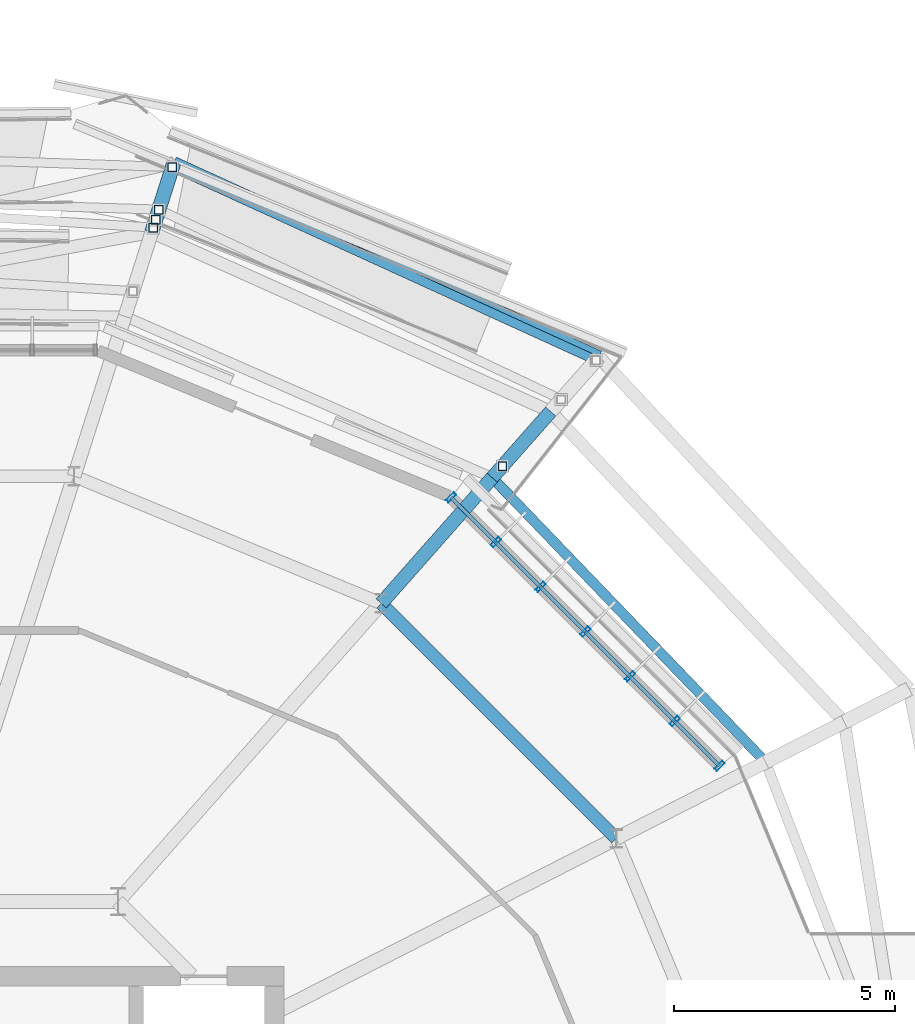
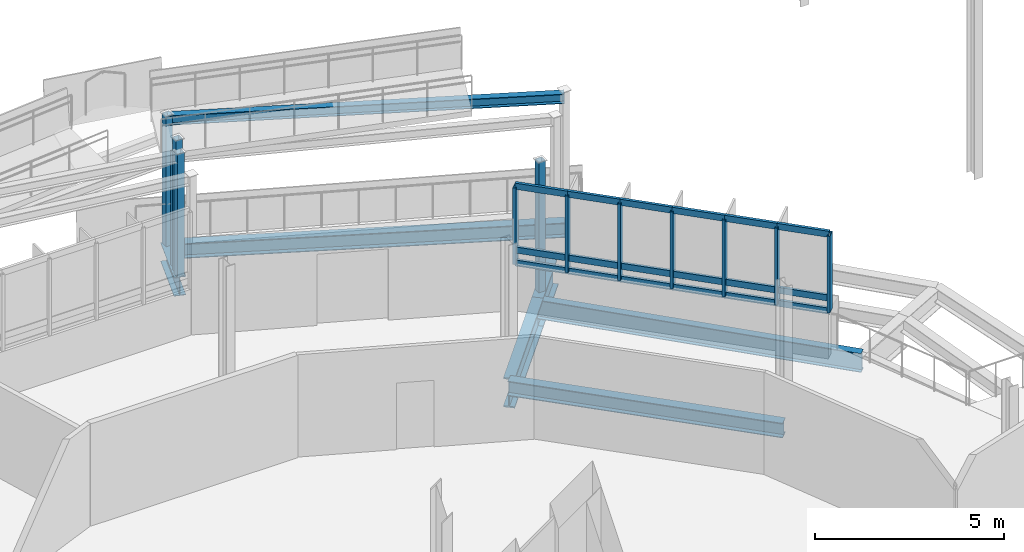
# One storey, part 49 of 107: 30 members, 7 beams, 1 element without a shape of its own.
"""IFC4 building model written with IfcOpenShell, lengths in metres."""

from ifc_helpers import new_model, si_unit, derived_unit, direction, frame, origin, origin_2d, place, context, subcontext, project, spatial, hollow_rectangle, i_section, extrude, material, layer, layer_set, material_profile, profile_set, type_object, element, aggregate, save


model = new_model("IFC4")

# Units and contexts
model_context = context("Model", 3, precision=1e-05, world=origin(), true_north=direction((0.0, 1.0)))
body_context = subcontext(model_context, "Body", "Model", "MODEL_VIEW")
ifc_project = project(units=[si_unit("LENGTHUNIT", "METRE"), si_unit("AREAUNIT", "SQUARE_METRE"), si_unit("VOLUMEUNIT", "CUBIC_METRE"), si_unit("PLANEANGLEUNIT", "RADIAN"), si_unit("MASSUNIT", "GRAM", prefix="KILO"), derived_unit("THERMALTRANSMITTANCEUNIT", [(si_unit("MASSUNIT", "GRAM", prefix="KILO"), 1), (si_unit("TIMEUNIT", "SECOND"), -3), (si_unit("THERMODYNAMICTEMPERATUREUNIT", "KELVIN"), -1)])], contexts=[model_context])

# Site, building, storey
site_placement = place(None, origin())
site = spatial("IfcSite", under=ifc_project, at=site_placement, CompositionType="ELEMENT")
building_placement = place(site_placement, origin())
building = spatial("IfcBuilding", under=site, at=building_placement, Name="Makaiwela Harbour Ferry Terminal", CompositionType="ELEMENT")
storey_placement = place(building_placement, frame((0.0, 0.0, 9.60009765625)))
storey = spatial("IfcBuildingStorey", under=building, at=storey_placement, Name="L02", CompositionType="ELEMENT", Elevation=9.60009765625)

# Curtain wall, members
ifc_material_1 = material(Name="Marine anodised aluminium 6063-T6", Category="aluminium")
ifc_layer = layer(ifc_material_1, 0.199951171875)
ifc_layer_set = layer_set([ifc_layer], Name="Marine anodised aluminium 6063-T6")
curtain_wall_type = type_object("IfcCurtainWallType", Name="ENV-CW-04", PredefinedType="USERDEFINED", material=ifc_layer_set)
curtain_wall_placement = place(storey_placement, origin())
curtain_wall = element("IfcCurtainWall", 1, at=curtain_wall_placement, inside=storey, type_object=curtain_wall_type, Name="Unitised Curtain Wall CWA-020", ObjectType="UNITIZED CURTAIN WALL", PredefinedType="USERDEFINED")
ifc_material_profile_1 = material_profile(ifc_material_1, hollow_rectangle(XDim=0.0849609375, YDim=0.25, WallThickness=0.0048828125, at=origin_2d()), Name="CWM-250X85")
ifc_profile_set_1 = profile_set([ifc_material_profile_1], Name="Marine anodised aluminium 6063-T6")
member_type_1 = type_object("IfcMemberType", Name="CW-MUL-250", PredefinedType="MULLION", material=ifc_profile_set_1)
member_1_placement = place(storey_placement, frame((55.4873046875, 80.46484375, 1.47998046875), z_axis=(0.0, 0.0, 1.0), x_axis=(-0.707106781187, 0.707106781187, 0.0)))
member_1 = element("IfcMember", 2, at=member_1_placement, type_object=member_type_1, Name="Curtain Wall Mullion CWA-020-1", PredefinedType="MULLION", context=body_context, shape_type="SweptSolid", body=[
    extrude(hollow_rectangle(XDim=0.0849609375, YDim=0.25, WallThickness=0.0048828125, at=origin_2d()), origin(), (0.0, 0.0, 1.0), 2.47998046875),
])
member_2_placement = place(storey_placement, frame((54.4736328125, 81.478759765625, 1.47998046875), z_axis=(0.0, 0.0, 1.0), x_axis=(-0.707106781187, 0.707106781187, 0.0)))
member_2 = element("IfcMember", 3, at=member_2_placement, type_object=member_type_1, Name="Curtain Wall Mullion CWA-020-2", PredefinedType="MULLION", context=body_context, shape_type="SweptSolid", body=[
    extrude(hollow_rectangle(XDim=0.0849609375, YDim=0.25, WallThickness=0.0048828125, at=origin_2d()), origin(), (0.0, 0.0, 1.0), 2.47998046875),
])
member_3_placement = place(storey_placement, frame((53.4599609375, 82.492431640625, 1.47998046875), z_axis=(0.0, 0.0, 1.0), x_axis=(-0.707106781187, 0.707106781187, 0.0)))
member_3 = element("IfcMember", 4, at=member_3_placement, type_object=member_type_1, Name="Curtain Wall Mullion CWA-020-3", PredefinedType="MULLION", context=body_context, shape_type="SweptSolid", body=[
    extrude(hollow_rectangle(XDim=0.0849609375, YDim=0.25, WallThickness=0.0048828125, at=origin_2d()), origin(), (0.0, 0.0, 1.0), 2.47998046875),
])
member_4_placement = place(storey_placement, frame((52.4462890625, 83.506103515625, 1.47998046875), z_axis=(0.0, 0.0, 1.0), x_axis=(-0.707106781187, 0.707106781187, 0.0)))
member_4 = element("IfcMember", 5, at=member_4_placement, type_object=member_type_1, Name="Curtain Wall Mullion CWA-020-4", PredefinedType="MULLION", context=body_context, shape_type="SweptSolid", body=[
    extrude(hollow_rectangle(XDim=0.0849609375, YDim=0.25, WallThickness=0.0048828125, at=origin_2d()), origin(), (0.0, 0.0, 1.0), 2.47998046875),
])
member_5_placement = place(storey_placement, frame((51.432373046875, 84.52001953125, 1.47998046875), z_axis=(0.0, 0.0, 1.0), x_axis=(-0.707106781187, 0.707106781187, 0.0)))
member_5 = element("IfcMember", 6, at=member_5_placement, type_object=member_type_1, Name="Curtain Wall Mullion CWA-020-5", PredefinedType="MULLION", context=body_context, shape_type="SweptSolid", body=[
    extrude(hollow_rectangle(XDim=0.0849609375, YDim=0.25, WallThickness=0.0048828125, at=origin_2d()), origin(), (0.0, 0.0, 1.0), 2.47998046875),
])
member_6_placement = place(storey_placement, frame((50.418701171875, 85.53369140625, 1.47998046875), z_axis=(0.0, 0.0, 1.0), x_axis=(-0.707106781187, 0.707106781187, 0.0)))
member_6 = element("IfcMember", 7, at=member_6_placement, type_object=member_type_1, Name="Curtain Wall Mullion CWA-020-6", PredefinedType="MULLION", context=body_context, shape_type="SweptSolid", body=[
    extrude(hollow_rectangle(XDim=0.0849609375, YDim=0.25, WallThickness=0.0048828125, at=origin_2d()), origin(), (0.0, 0.0, 1.0), 2.47998046875),
])
member_7_placement = place(storey_placement, frame((49.40478515625, 86.54736328125, 1.47998046875), z_axis=(0.0, 0.0, 1.0), x_axis=(-0.707106781187, 0.707106781187, 0.0)))
member_7 = element("IfcMember", 8, at=member_7_placement, type_object=member_type_1, Name="Curtain Wall Mullion CWA-020-7", PredefinedType="MULLION", context=body_context, shape_type="SweptSolid", body=[
    extrude(hollow_rectangle(XDim=0.0849609375, YDim=0.25, WallThickness=0.0048828125, at=origin_2d()), origin(), (0.0, 0.0, 1.0), 2.47998046875),
])
ifc_material_profile_2 = material_profile(ifc_material_1, hollow_rectangle(XDim=0.0849609375, YDim=0.199951171875, WallThickness=0.0048828125, at=origin_2d()), Name="CWT-200X85")
ifc_profile_set_2 = profile_set([ifc_material_profile_2], Name="Marine anodised aluminium 6063-T6")
member_type_2 = type_object("IfcMemberType", Name="CW-TRN-200", PredefinedType="USERDEFINED", material=ifc_profile_set_2)
member_8_placement = place(storey_placement, frame((55.4873046875, 80.46484375, 1.47998046875), z_axis=(-0.707021633764, 0.707191918358, 0.0), x_axis=(-0.707191918358, -0.707021633764, 0.0)))
member_8 = element("IfcMember", 9, at=member_8_placement, type_object=member_type_2, Name="Curtain Wall Transom CWA-020-1-1", ObjectType="TRANSOM", PredefinedType="USERDEFINED", context=body_context, shape_type="SweptSolid", body=[
    extrude(hollow_rectangle(XDim=0.0849609375, YDim=0.199951171875, WallThickness=0.0048828125, at=origin_2d()), origin(), (0.0, 0.0, 1.0), 1.433837890625),
])
member_9_placement = place(storey_placement, frame((55.4873046875, 80.46484375, 1.89990234375), z_axis=(-0.707021633764, 0.707191918358, 0.0), x_axis=(-0.707191918358, -0.707021633764, 0.0)))
member_9 = element("IfcMember", 10, at=member_9_placement, type_object=member_type_2, Name="Curtain Wall Transom CWA-020-1-2", ObjectType="TRANSOM", PredefinedType="USERDEFINED", context=body_context, shape_type="SweptSolid", body=[
    extrude(hollow_rectangle(XDim=0.0849609375, YDim=0.199951171875, WallThickness=0.0048828125, at=origin_2d()), origin(), (0.0, 0.0, 1.0), 1.433837890625),
])
member_10_placement = place(storey_placement, frame((55.4873046875, 80.46484375, 3.9599609375), z_axis=(-0.707021633764, 0.707191918358, 0.0), x_axis=(-0.707191918358, -0.707021633764, 0.0)))
member_10 = element("IfcMember", 11, at=member_10_placement, type_object=member_type_2, Name="Curtain Wall Transom CWA-020-1-3", ObjectType="TRANSOM", PredefinedType="USERDEFINED", context=body_context, shape_type="SweptSolid", body=[
    extrude(hollow_rectangle(XDim=0.0849609375, YDim=0.199951171875, WallThickness=0.0048828125, at=origin_2d()), origin(), (0.0, 0.0, 1.0), 1.433837890625),
])
member_11_placement = place(storey_placement, frame((54.4736328125, 81.478759765625, 1.47998046875), z_axis=(-0.707106781187, 0.707106781187, 0.0), x_axis=(-0.707106781187, -0.707106781187, 0.0)))
member_11 = element("IfcMember", 12, at=member_11_placement, type_object=member_type_2, Name="Curtain Wall Transom CWA-020-2-1", ObjectType="TRANSOM", PredefinedType="USERDEFINED", context=body_context, shape_type="SweptSolid", body=[
    extrude(hollow_rectangle(XDim=0.0849609375, YDim=0.199951171875, WallThickness=0.0048828125, at=origin_2d()), origin(), (0.0, 0.0, 1.0), 1.43359375),
])
member_12_placement = place(storey_placement, frame((54.4736328125, 81.478759765625, 1.89990234375), z_axis=(-0.707106781187, 0.707106781187, 0.0), x_axis=(-0.707106781187, -0.707106781187, 0.0)))
member_12 = element("IfcMember", 13, at=member_12_placement, type_object=member_type_2, Name="Curtain Wall Transom CWA-020-2-2", ObjectType="TRANSOM", PredefinedType="USERDEFINED", context=body_context, shape_type="SweptSolid", body=[
    extrude(hollow_rectangle(XDim=0.0849609375, YDim=0.199951171875, WallThickness=0.0048828125, at=origin_2d()), origin(), (0.0, 0.0, 1.0), 1.43359375),
])
member_13_placement = place(storey_placement, frame((54.4736328125, 81.478759765625, 3.9599609375), z_axis=(-0.707106781187, 0.707106781187, 0.0), x_axis=(-0.707106781187, -0.707106781187, 0.0)))
member_13 = element("IfcMember", 14, at=member_13_placement, type_object=member_type_2, Name="Curtain Wall Transom CWA-020-2-3", ObjectType="TRANSOM", PredefinedType="USERDEFINED", context=body_context, shape_type="SweptSolid", body=[
    extrude(hollow_rectangle(XDim=0.0849609375, YDim=0.199951171875, WallThickness=0.0048828125, at=origin_2d()), origin(), (0.0, 0.0, 1.0), 1.43359375),
])
member_14_placement = place(storey_placement, frame((53.4599609375, 82.492431640625, 1.47998046875), z_axis=(-0.707106781187, 0.707106781187, 0.0), x_axis=(-0.707106781187, -0.707106781187, 0.0)))
member_14 = element("IfcMember", 15, at=member_14_placement, type_object=member_type_2, Name="Curtain Wall Transom CWA-020-3-1", ObjectType="TRANSOM", PredefinedType="USERDEFINED", context=body_context, shape_type="SweptSolid", body=[
    extrude(hollow_rectangle(XDim=0.0849609375, YDim=0.199951171875, WallThickness=0.0048828125, at=origin_2d()), origin(), (0.0, 0.0, 1.0), 1.43359375),
])
member_15_placement = place(storey_placement, frame((53.4599609375, 82.492431640625, 1.89990234375), z_axis=(-0.707106781187, 0.707106781187, 0.0), x_axis=(-0.707106781187, -0.707106781187, 0.0)))
member_15 = element("IfcMember", 16, at=member_15_placement, type_object=member_type_2, Name="Curtain Wall Transom CWA-020-3-2", ObjectType="TRANSOM", PredefinedType="USERDEFINED", context=body_context, shape_type="SweptSolid", body=[
    extrude(hollow_rectangle(XDim=0.0849609375, YDim=0.199951171875, WallThickness=0.0048828125, at=origin_2d()), origin(), (0.0, 0.0, 1.0), 1.43359375),
])
member_16_placement = place(storey_placement, frame((53.4599609375, 82.492431640625, 3.9599609375), z_axis=(-0.707106781187, 0.707106781187, 0.0), x_axis=(-0.707106781187, -0.707106781187, 0.0)))
member_16 = element("IfcMember", 17, at=member_16_placement, type_object=member_type_2, Name="Curtain Wall Transom CWA-020-3-3", ObjectType="TRANSOM", PredefinedType="USERDEFINED", context=body_context, shape_type="SweptSolid", body=[
    extrude(hollow_rectangle(XDim=0.0849609375, YDim=0.199951171875, WallThickness=0.0048828125, at=origin_2d()), origin(), (0.0, 0.0, 1.0), 1.43359375),
])
member_17_placement = place(storey_placement, frame((52.4462890625, 83.506103515625, 1.47998046875), z_axis=(-0.707106781187, 0.707106781187, 0.0), x_axis=(-0.707106781187, -0.707106781187, 0.0)))
member_17 = element("IfcMember", 18, at=member_17_placement, type_object=member_type_2, Name="Curtain Wall Transom CWA-020-4-1", ObjectType="TRANSOM", PredefinedType="USERDEFINED", context=body_context, shape_type="SweptSolid", body=[
    extrude(hollow_rectangle(XDim=0.0849609375, YDim=0.199951171875, WallThickness=0.0048828125, at=origin_2d()), origin(), (0.0, 0.0, 1.0), 1.433837890625),
])
member_18_placement = place(storey_placement, frame((52.4462890625, 83.506103515625, 1.89990234375), z_axis=(-0.707106781187, 0.707106781187, 0.0), x_axis=(-0.707106781187, -0.707106781187, 0.0)))
member_18 = element("IfcMember", 19, at=member_18_placement, type_object=member_type_2, Name="Curtain Wall Transom CWA-020-4-2", ObjectType="TRANSOM", PredefinedType="USERDEFINED", context=body_context, shape_type="SweptSolid", body=[
    extrude(hollow_rectangle(XDim=0.0849609375, YDim=0.199951171875, WallThickness=0.0048828125, at=origin_2d()), origin(), (0.0, 0.0, 1.0), 1.433837890625),
])
member_19_placement = place(storey_placement, frame((52.4462890625, 83.506103515625, 3.9599609375), z_axis=(-0.707106781187, 0.707106781187, 0.0), x_axis=(-0.707106781187, -0.707106781187, 0.0)))
member_19 = element("IfcMember", 20, at=member_19_placement, type_object=member_type_2, Name="Curtain Wall Transom CWA-020-4-3", ObjectType="TRANSOM", PredefinedType="USERDEFINED", context=body_context, shape_type="SweptSolid", body=[
    extrude(hollow_rectangle(XDim=0.0849609375, YDim=0.199951171875, WallThickness=0.0048828125, at=origin_2d()), origin(), (0.0, 0.0, 1.0), 1.433837890625),
])
member_20_placement = place(storey_placement, frame((51.432373046875, 84.52001953125, 1.47998046875), z_axis=(-0.707106781187, 0.707106781187, 0.0), x_axis=(-0.707106781187, -0.707106781187, 0.0)))
member_20 = element("IfcMember", 21, at=member_20_placement, type_object=member_type_2, Name="Curtain Wall Transom CWA-020-5-1", ObjectType="TRANSOM", PredefinedType="USERDEFINED", context=body_context, shape_type="SweptSolid", body=[
    extrude(hollow_rectangle(XDim=0.0849609375, YDim=0.199951171875, WallThickness=0.0048828125, at=origin_2d()), origin(), (0.0, 0.0, 1.0), 1.43359375),
])
member_21_placement = place(storey_placement, frame((51.432373046875, 84.52001953125, 1.89990234375), z_axis=(-0.707106781187, 0.707106781187, 0.0), x_axis=(-0.707106781187, -0.707106781187, 0.0)))
member_21 = element("IfcMember", 22, at=member_21_placement, type_object=member_type_2, Name="Curtain Wall Transom CWA-020-5-2", ObjectType="TRANSOM", PredefinedType="USERDEFINED", context=body_context, shape_type="SweptSolid", body=[
    extrude(hollow_rectangle(XDim=0.0849609375, YDim=0.199951171875, WallThickness=0.0048828125, at=origin_2d()), origin(), (0.0, 0.0, 1.0), 1.43359375),
])
member_22_placement = place(storey_placement, frame((51.432373046875, 84.52001953125, 3.9599609375), z_axis=(-0.707106781187, 0.707106781187, 0.0), x_axis=(-0.707106781187, -0.707106781187, 0.0)))
member_22 = element("IfcMember", 23, at=member_22_placement, type_object=member_type_2, Name="Curtain Wall Transom CWA-020-5-3", ObjectType="TRANSOM", PredefinedType="USERDEFINED", context=body_context, shape_type="SweptSolid", body=[
    extrude(hollow_rectangle(XDim=0.0849609375, YDim=0.199951171875, WallThickness=0.0048828125, at=origin_2d()), origin(), (0.0, 0.0, 1.0), 1.43359375),
])
member_23_placement = place(storey_placement, frame((50.418701171875, 85.53369140625, 1.47998046875), z_axis=(-0.707191918358, 0.707021633764, 0.0), x_axis=(-0.707021633764, -0.707191918358, 0.0)))
member_23 = element("IfcMember", 24, at=member_23_placement, type_object=member_type_2, Name="Curtain Wall Transom CWA-020-6-1", ObjectType="TRANSOM", PredefinedType="USERDEFINED", context=body_context, shape_type="SweptSolid", body=[
    extrude(hollow_rectangle(XDim=0.0849609375, YDim=0.199951171875, WallThickness=0.0048828125, at=origin_2d()), origin(), (0.0, 0.0, 1.0), 1.433837890625),
])
member_24_placement = place(storey_placement, frame((50.418701171875, 85.53369140625, 1.89990234375), z_axis=(-0.707191918358, 0.707021633764, 0.0), x_axis=(-0.707021633764, -0.707191918358, 0.0)))
member_24 = element("IfcMember", 25, at=member_24_placement, type_object=member_type_2, Name="Curtain Wall Transom CWA-020-6-2", ObjectType="TRANSOM", PredefinedType="USERDEFINED", context=body_context, shape_type="SweptSolid", body=[
    extrude(hollow_rectangle(XDim=0.0849609375, YDim=0.199951171875, WallThickness=0.0048828125, at=origin_2d()), origin(), (0.0, 0.0, 1.0), 1.433837890625),
])
member_25_placement = place(storey_placement, frame((50.418701171875, 85.53369140625, 3.9599609375), z_axis=(-0.707191918358, 0.707021633764, 0.0), x_axis=(-0.707021633764, -0.707191918358, 0.0)))
member_25 = element("IfcMember", 26, at=member_25_placement, type_object=member_type_2, Name="Curtain Wall Transom CWA-020-6-3", ObjectType="TRANSOM", PredefinedType="USERDEFINED", context=body_context, shape_type="SweptSolid", body=[
    extrude(hollow_rectangle(XDim=0.0849609375, YDim=0.199951171875, WallThickness=0.0048828125, at=origin_2d()), origin(), (0.0, 0.0, 1.0), 1.433837890625),
])
aggregate(curtain_wall, [member_1, member_2, member_3, member_4, member_5, member_6, member_7, member_8, member_9, member_10, member_11, member_12, member_13, member_14, member_15, member_16, member_17, member_18, member_19, member_20, member_21, member_22, member_23, member_24, member_25])

# Beams
ifc_material_2 = material(Name="Steel ASTM A992 Grade 50", Category="steel")
ifc_material_profile_3 = material_profile(ifc_material_2, i_section(OverallWidth=0.324951171875, OverallDepth=0.615966796875, WebThickness=0.013916015625, FlangeThickness=0.021484375, at=origin_2d()), Name="W24X117")
ifc_profile_set_3 = profile_set([ifc_material_profile_3], Name="Steel ASTM A992 Grade 50")
beam_type_1 = type_object("IfcBeamType", Name="STR-GRD-W24X117", PredefinedType="USERDEFINED", material=ifc_profile_set_3)
beam_1_placement = place(storey_placement, frame((42.623291015625, 92.556396484375, -0.568115234375), z_axis=(0.303191442056, 0.952929666588, 0.0), x_axis=(-0.952929666588, 0.303191442056, 0.0)))
element("IfcBeam", 27, at=beam_1_placement, inside=storey, type_object=beam_type_1, Name="Promenade terrace bracket 162", ObjectType="GIRDER", PredefinedType="USERDEFINED", context=body_context, shape_type="SweptSolid", body=[
    extrude(i_section(OverallWidth=0.324951171875, OverallDepth=0.615966796875, WebThickness=0.013916015625, FlangeThickness=0.021484375, at=origin_2d()), origin(), (0.0, 0.0, 1.0), 1.64990234375),
])
ifc_material_profile_4 = material_profile(ifc_material_2, i_section(OverallWidth=0.22900390625, OverallDepth=0.612060546875, WebThickness=0.011962890625, FlangeThickness=0.01953125, at=origin_2d()), Name="W24X84")
ifc_profile_set_4 = profile_set([ifc_material_profile_4], Name="Steel ASTM A992 Grade 50")
beam_type_2 = type_object("IfcBeamType", Name="STR-GRD-W24X84", PredefinedType="USERDEFINED", material=ifc_profile_set_4)
beam_2_placement = place(storey_placement, frame((56.5322265625, 80.549560546875, -0.566162109375), z_axis=(-0.692888186671, 0.721045047672, 0.0), x_axis=(-0.721045047672, -0.692888186671, 0.0)))
element("IfcBeam", 28, at=beam_2_placement, inside=storey, type_object=beam_type_2, Name="Drum overhang tie girder 200", ObjectType="GIRDER", PredefinedType="USERDEFINED", context=body_context, shape_type="SweptSolid", body=[
    extrude(i_section(OverallWidth=0.22900390625, OverallDepth=0.612060546875, WebThickness=0.011962890625, FlangeThickness=0.01953125, at=origin_2d()), origin(), (0.0, 0.0, 1.0), 8.939453125),
])
ifc_material_profile_5 = material_profile(ifc_material_2, i_section(OverallWidth=0.31005859375, OverallDepth=0.949951171875, WebThickness=0.0244140625, FlangeThickness=0.0439453125, at=origin_2d()), Name="W36X256")
ifc_profile_set_5 = profile_set([ifc_material_profile_5], Name="Steel ASTM A992 Grade 50")
beam_type_3 = type_object("IfcBeamType", Name="STR-GRD-W36X256", PredefinedType="USERDEFINED", material=ifc_profile_set_5)
beam_3_placement = place(storey_placement, frame((47.822509765625, 84.1474609375, -0.735107421875), z_axis=(0.662031662914, 0.74947586839, 0.0), x_axis=(-0.74947586839, 0.662031662914, 0.0)))
element("IfcBeam", 29, at=beam_3_placement, inside=storey, type_object=beam_type_3, Name="Drum radial overhang 156", ObjectType="GIRDER", PredefinedType="USERDEFINED", context=body_context, shape_type="SweptSolid", body=[
    extrude(i_section(OverallWidth=0.31005859375, OverallDepth=0.949951171875, WebThickness=0.0244140625, FlangeThickness=0.0439453125, at=origin_2d()), origin(), (0.0, 0.0, 1.0), 3.7998046875),
])
beam_4_placement = place(storey_placement, frame((50.338134765625, 86.995361328125, -0.735107421875), z_axis=(0.661988956977, 0.749513589497, 0.0), x_axis=(-0.749513589497, 0.661988956977, 0.0)))
element("IfcBeam", 30, at=beam_4_placement, inside=storey, type_object=beam_type_3, Name="Drum overhang radial girder 157", ObjectType="GIRDER", PredefinedType="USERDEFINED", context=body_context, shape_type="SweptSolid", body=[
    extrude(i_section(OverallWidth=0.31005859375, OverallDepth=0.949951171875, WebThickness=0.0244140625, FlangeThickness=0.0439453125, at=origin_2d()), origin(), (0.0, 0.0, 1.0), 2.0),
])
ifc_material_profile_6 = material_profile(ifc_material_2, i_section(OverallWidth=0.205078125, OverallDepth=0.31005859375, WebThickness=0.009521484375, FlangeThickness=0.016357421875, at=origin_2d()), Name="W12X50")
ifc_profile_set_6 = profile_set([ifc_material_profile_6], Name="Steel ASTM A992 Grade 50")
beam_type_4 = type_object("IfcBeamType", Name="STR-LNT-W12X50", PredefinedType="LINTEL", material=ifc_profile_set_6)
beam_5_placement = place(storey_placement, frame((52.6884765625, 89.656005859375, 3.786865234375), z_axis=(-0.90979481863, 0.415058294693, 0.0), x_axis=(-0.415058294693, -0.90979481863, 0.0)))
element("IfcBeam", 31, at=beam_5_placement, inside=storey, type_object=beam_type_4, Name="Ramp Balcony Edge Beam L03-OUT", PredefinedType="LINTEL", context=body_context, shape_type="SweptSolid", body=[
    extrude(i_section(OverallWidth=0.205078125, OverallDepth=0.31005859375, WebThickness=0.009521484375, FlangeThickness=0.016357421875, at=origin_2d()), origin(), (0.0, 0.0, 1.0), 10.546630859375),
])

# Members
ifc_material_3 = material(Name="Steel ASTM A500 Grade C", Category="steel")
ifc_material_profile_7 = material_profile(ifc_material_3, hollow_rectangle(XDim=0.202880859375, YDim=0.202880859375, WallThickness=0.01171875, at=origin_2d()), Name="HSS8X8X1/2")
ifc_profile_set_7 = profile_set([ifc_material_profile_7], Name="Steel ASTM A500 Grade C")
member_type_3 = type_object("IfcMemberType", Name="STR-PST-HSS8", PredefinedType="POST", material=ifc_profile_set_7)
member_26_placement = place(storey_placement, frame((42.656982421875, 92.662109375, -0.280029296875), z_axis=(0.0, 0.0, 1.0), x_axis=(1.0, 0.0, 0.0)))
element("IfcMember", 32, at=member_26_placement, inside=storey, type_object=member_type_3, Name="Exterior Ramp Support Post RP-0089", PredefinedType="POST", context=body_context, shape_type="SweptSolid", body=[
    extrude(hollow_rectangle(XDim=0.202880859375, YDim=0.202880859375, WallThickness=0.01171875, at=origin_2d()), origin(), (0.0, 0.0, 1.0), 3.9921875),
])
member_27_placement = place(storey_placement, frame((42.71435546875, 92.84228515625, -0.280029296875), z_axis=(0.0, 0.0, 1.0), x_axis=(1.0, 0.0, 0.0)))
element("IfcMember", 33, at=member_27_placement, inside=storey, type_object=member_type_3, Name="Exterior Ramp Support Post RP-0090", PredefinedType="POST", context=body_context, shape_type="SweptSolid", body=[
    extrude(hollow_rectangle(XDim=0.202880859375, YDim=0.202880859375, WallThickness=0.01171875, at=origin_2d()), origin(), (0.0, 0.0, 1.0), 4.304931640625),
])
member_28_placement = place(storey_placement, frame((42.78662109375, 93.06982421875, -0.280029296875), z_axis=(0.0, 0.0, 1.0), x_axis=(1.0, 0.0, 0.0)))
element("IfcMember", 34, at=member_28_placement, inside=storey, type_object=member_type_3, Name="Exterior Ramp Support Post RP-0091", PredefinedType="POST", context=body_context, shape_type="SweptSolid", body=[
    extrude(hollow_rectangle(XDim=0.202880859375, YDim=0.202880859375, WallThickness=0.01171875, at=origin_2d()), origin(), (0.0, 0.0, 1.0), 3.704833984375),
])
for number, where, z_axis, x_axis, name in (
    (35, (43.09326171875, 94.033447265625, -0.280029296875), (0.0, 0.0, 1.0), (1.0, 0.0, 0.0), "Exterior Ramp Support Post RP-0094"),
    (36, (50.5712890625, 87.25927734375, -0.280029296875), (0.0, 0.0, 1.0), (1.0, 0.0, 0.0), "Exterior Ramp Support Post RP-0100"),
):
    element("IfcMember", number, at=place(storey_placement, frame(where, z_axis=z_axis, x_axis=x_axis)), inside=storey, type_object=member_type_3, Name=name, PredefinedType="POST", context=body_context, shape_type="SweptSolid", body=[
        extrude(hollow_rectangle(XDim=0.202880859375, YDim=0.202880859375, WallThickness=0.01171875, at=origin_2d()), origin(), (0.0, 0.0, 1.0), 4.22998046875),
    ])

# Beams
ifc_material_profile_8 = material_profile(ifc_material_2, i_section(OverallWidth=0.283935546875, OverallDepth=0.47607421875, WebThickness=0.014892578125, FlangeThickness=0.02392578125, at=origin_2d()), Name="W18X106")
ifc_profile_set_8 = profile_set([ifc_material_profile_8], Name="Steel ASTM A992 Grade 50")
beam_type_5 = type_object("IfcBeamType", Name="STR-SPN-W18X106", PredefinedType="SPANDREL", material=ifc_profile_set_8)
beam_6_placement = place(storey_placement, frame((53.1474609375, 78.822509765625, -0.498046875), z_axis=(-0.707106781187, 0.707106781187, 0.0), x_axis=(-0.707106781187, -0.707106781187, 0.0)))
element("IfcBeam", 37, at=beam_6_placement, inside=storey, type_object=beam_type_5, Name="Drum column ring girder 133", PredefinedType="SPANDREL", context=body_context, shape_type="SweptSolid", body=[
    extrude(i_section(OverallWidth=0.283935546875, OverallDepth=0.47607421875, WebThickness=0.014892578125, FlangeThickness=0.02392578125, at=origin_2d()), origin(), (0.0, 0.0, 1.0), 7.530517578125),
])
beam_7_placement = place(storey_placement, frame((52.754638671875, 89.731201171875, -0.498046875), z_axis=(-0.909664708703, 0.415343373296, 0.0), x_axis=(-0.415343373296, -0.909664708703, 0.0)))
element("IfcBeam", 38, at=beam_7_placement, inside=storey, type_object=beam_type_5, Name="Drum perimeter spandrel 225", PredefinedType="SPANDREL", context=body_context, shape_type="SweptSolid", body=[
    extrude(i_section(OverallWidth=0.283935546875, OverallDepth=0.47607421875, WebThickness=0.014892578125, FlangeThickness=0.02392578125, at=origin_2d()), origin(), (0.0, 0.0, 1.0), 10.587646484375),
])

save(model, "model.ifc")
